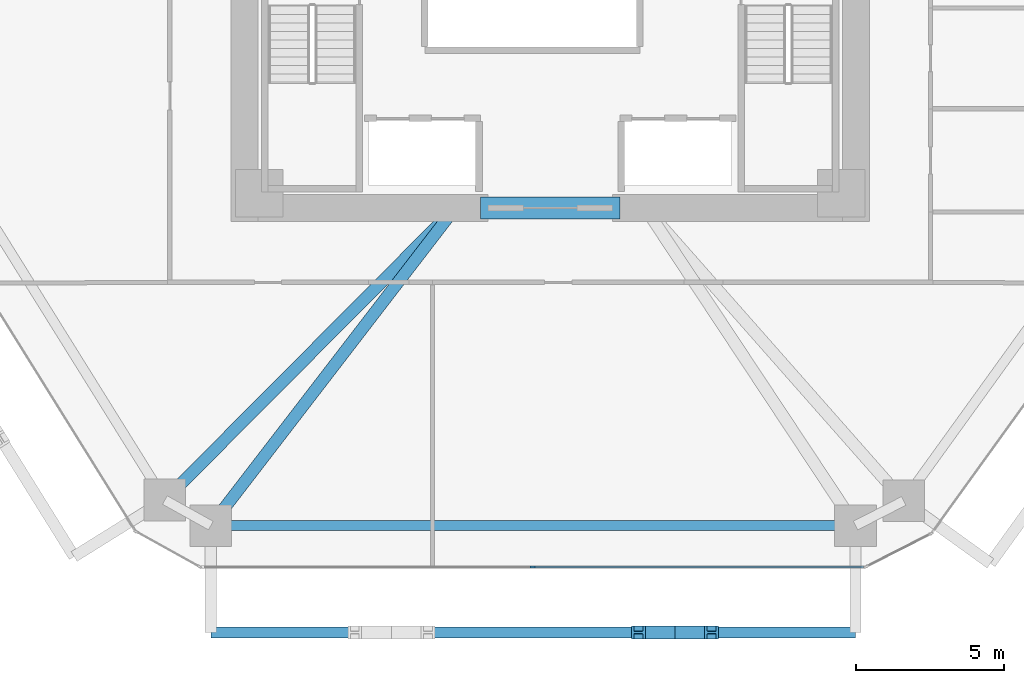
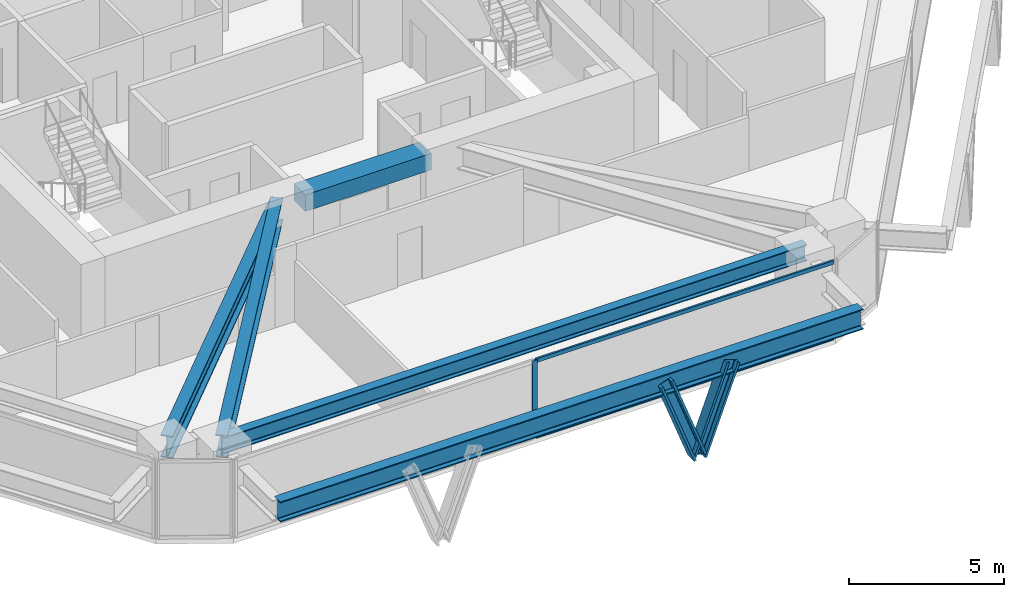
# One storey, part 3 of 14: 5 beams, 5 members, 1 element without a shape of its own.
"""IFC4 building model written with IfcOpenShell, lengths in metres."""

from ifc_helpers import new_model, si_unit, direction, frame, origin, origin_2d, place, context, subcontext, project, spatial, rectangle, i_section, extrude, source, transform, mapped, material, layer, layer_set, material_profile, profile_set, type_object, type_shapes, element, aggregate, save


model = new_model("IFC4")

# Units and contexts
model_context = context("Model", 3, precision=1e-05, world=origin(), true_north=direction((0.0, 1.0)))
body_context = subcontext(model_context, "Body", "Model", "MODEL_VIEW")
ifc_project = project(units=[si_unit("LENGTHUNIT", "METRE"), si_unit("AREAUNIT", "SQUARE_METRE"), si_unit("VOLUMEUNIT", "CUBIC_METRE"), si_unit("PLANEANGLEUNIT", "RADIAN"), si_unit("MASSUNIT", "GRAM", prefix="KILO")], contexts=[model_context])

# Site, building, storey
site_placement = place(None, origin())
site = spatial("IfcSite", under=ifc_project, at=site_placement, CompositionType="ELEMENT")
building_placement = place(site_placement, origin())
building = spatial("IfcBuilding", under=site, at=building_placement, Name="Durnholm Broadcast Tower", CompositionType="ELEMENT")
storey_placement = place(building_placement, frame((0.0, 0.0, 35.699951171875)))
storey = spatial("IfcBuildingStorey", under=building, at=storey_placement, Name="L07", CompositionType="ELEMENT", Elevation=35.699951171875)

# Beams
ifc_material_1 = material(Name="Concrete C70/85", Category="concrete")
ifc_material_profile_1 = material_profile(ifc_material_1, rectangle(XDim=0.75, YDim=0.64990234375, at=origin_2d()), Name="RC750X650")
ifc_profile_set_1 = profile_set([ifc_material_profile_1], Name="Concrete C70/85")
beam_type_1 = type_object("IfcBeamType", Name="BM-CB-RC650", PredefinedType="LINTEL", material=ifc_profile_set_1)
shared_shape_1 = source(origin(), body_context, "Body", "SweptSolid", [
    extrude(rectangle(XDim=0.75, YDim=0.64990234375, at=origin_2d()), origin(), (0.0, 0.0, 1.0), 4.7001953125),
])
type_shapes(beam_type_1, [shared_shape_1])
beam_1_placement = place(storey_placement, frame((-2.35009765625, -8.300048828125, 2.72998046875), z_axis=(1.0, 0.0, 0.0), x_axis=(0.0, 1.0, 0.0)))
element("IfcBeam", 1, at=beam_1_placement, inside=storey, type_object=beam_type_1, Name="L07 south core coupling lintel beam CB-S", PredefinedType="LINTEL", context=body_context, shape_type="MappedRepresentation", body=[
    mapped(shared_shape_1, transform((0.0, 0.0, 0.0), x_axis=(1.0, 0.0, 0.0), y_axis=(0.0, 1.0, 0.0), z_axis=(0.0, 0.0, 1.0), scale=1.0)),
])
ifc_material_2 = material(Name="Steel ASTM A992 Grade 50", Category="steel")
ifc_material_profile_2 = material_profile(ifc_material_2, i_section(OverallWidth=0.3291015625, OverallDepth=0.635009765625, WebThickness=0.017822265625, FlangeThickness=0.031005859375, FilletRadius=0.02783203125, at=origin_2d()), Name="W24X162")
ifc_profile_set_2 = profile_set([ifc_material_profile_2], Name="Steel ASTM A992 Grade 50")
beam_type_2 = type_object("IfcBeamType", Name="STL-SP-W24X162", PredefinedType="SPANDREL", material=ifc_profile_set_2)
shared_shape_2 = source(origin(), body_context, "Body", "SweptSolid", [
    extrude(i_section(OverallWidth=0.3291015625, OverallDepth=0.635009765625, WebThickness=0.017822265625, FlangeThickness=0.031005859375, FilletRadius=0.02783203125, at=origin_2d()), origin(), (0.0, 0.0, 1.0), 21.7138671875),
])
type_shapes(beam_type_2, [shared_shape_2])
beam_2_placement = place(storey_placement, frame((10.28271484375, -19.0, 2.7275390625), z_axis=(-1.0, 0.0, 0.0), x_axis=(0.0, -1.0, 0.0)))
element("IfcBeam", 2, at=beam_2_placement, inside=storey, type_object=beam_type_2, Name="L07 perimeter spandrel girder 11", PredefinedType="SPANDREL", context=body_context, shape_type="MappedRepresentation", body=[
    mapped(shared_shape_2, transform((0.0, 0.0, 0.0), x_axis=(1.0, 0.0, 0.0), y_axis=(0.0, 1.0, 0.0), z_axis=(0.0, 0.0, 1.0), scale=1.0)),
])
ifc_material_profile_3 = material_profile(ifc_material_2, i_section(OverallWidth=0.404052734375, OverallDepth=0.885009765625, WebThickness=0.0244140625, FlangeThickness=0.0439453125, FilletRadius=0.03564453125, at=origin_2d()), Name="W33X291")
ifc_profile_set_3 = profile_set([ifc_material_profile_3], Name="Steel ASTM A992 Grade 50")
beam_type_3 = type_object("IfcBeamType", Name="STL-GR-W33X291", PredefinedType="USERDEFINED", material=ifc_profile_set_3)
shared_shape_3 = source(origin(), body_context, "Body", "SweptSolid", [
    extrude(i_section(OverallWidth=0.404052734375, OverallDepth=0.885009765625, WebThickness=0.0244140625, FlangeThickness=0.0439453125, FilletRadius=0.03564453125, at=origin_2d()), origin(), (0.0, 0.0, 1.0), 13.874267578125),
])
beam_3_placement = place(storey_placement, frame((-3.199951171875, -8.300048828125, 2.6025390625), z_axis=(-0.705097917174, -0.709109954237, 0.0), x_axis=(0.709109954237, -0.705097917174, 0.0)))
element("IfcBeam", 3, at=beam_3_placement, inside=storey, type_object=beam_type_3, Name="L07 radial primary floor girder 01", ObjectType="GIRDER", PredefinedType="USERDEFINED", context=body_context, shape_type="MappedRepresentation", body=[
    mapped(shared_shape_3, transform((0.0, 0.0, 0.0), x_axis=(1.0, 0.0, 0.0), y_axis=(0.0, 1.0, 0.0), z_axis=(0.0, 0.0, 1.0), scale=1.0)),
])
shared_shape_4 = source(origin(), body_context, "Body", "SweptSolid", [
    extrude(i_section(OverallWidth=0.404052734375, OverallDepth=0.885009765625, WebThickness=0.0244140625, FlangeThickness=0.0439453125, FilletRadius=0.03564453125, at=origin_2d()), origin(), (0.0, 0.0, 1.0), 13.499755859375),
])
type_shapes(beam_type_3, [shared_shape_3, shared_shape_4])
beam_4_placement = place(storey_placement, frame((-3.199951171875, -8.300048828125, 2.6025390625), z_axis=(-0.609732610412, -0.79260718127, 0.0), x_axis=(0.79260718127, -0.609732610412, 0.0)))
element("IfcBeam", 4, at=beam_4_placement, inside=storey, type_object=beam_type_3, Name="L07 radial primary floor girder 12", ObjectType="GIRDER", PredefinedType="USERDEFINED", context=body_context, shape_type="MappedRepresentation", body=[
    mapped(shared_shape_4, transform((0.0, 0.0, 0.0), x_axis=(1.0, 0.0, 0.0), y_axis=(0.0, 1.0, 0.0), z_axis=(0.0, 0.0, 1.0), scale=1.0)),
])
ifc_material_profile_4 = material_profile(ifc_material_2, i_section(OverallWidth=0.385009765625, OverallDepth=0.802978515625, WebThickness=0.023681640625, FlangeThickness=0.0419921875, FilletRadius=0.032958984375, at=origin_2d()), Name="W30X261")
ifc_profile_set_4 = profile_set([ifc_material_profile_4], Name="Steel ASTM A992 Grade 50")
beam_type_4 = type_object("IfcBeamType", Name="BM-EXO-TIE", PredefinedType="USERDEFINED", material=ifc_profile_set_4)
shared_shape_5 = source(origin(), body_context, "Body", "SweptSolid", [
    extrude(i_section(OverallWidth=0.385009765625, OverallDepth=0.802978515625, WebThickness=0.023681640625, FlangeThickness=0.0419921875, FilletRadius=0.032958984375, at=origin_2d()), origin(), (0.0, 0.0, 1.0), 21.7138671875),
])
type_shapes(beam_type_4, [shared_shape_5])
beam_5_placement = place(storey_placement, frame((-11.43115234375, -22.60009765625, 2.30859375), z_axis=(1.0, 0.0, 0.0), x_axis=(0.0, 1.0, 0.0)))
element("IfcBeam", 5, at=beam_5_placement, inside=storey, type_object=beam_type_4, Name="L07 exoskeleton collector spandrel F1", PredefinedType="SPANDREL", context=body_context, shape_type="MappedRepresentation", body=[
    mapped(shared_shape_5, transform((0.0, 0.0, 0.0), x_axis=(1.0, 0.0, 0.0), y_axis=(0.0, 1.0, 0.0), z_axis=(0.0, 0.0, 1.0), scale=1.0)),
])

# Members
ifc_material_3 = material(Name="Steel ASTM A913 Grade 65", Category="steel")
ifc_material_profile_5 = material_profile(ifc_material_3, i_section(OverallWidth=0.43212890625, OverallDepth=0.497802734375, WebThickness=0.0556640625, FlangeThickness=0.0888671875, FilletRadius=0.030517578125, at=origin_2d()), Name="W14X500")
ifc_profile_set_5 = profile_set([ifc_material_profile_5], Name="Steel ASTM A913 Grade 65")
member_type_1 = type_object("IfcMemberType", Name="STL-DG-W14X500", PredefinedType="BRACE", material=ifc_profile_set_5)
shared_shape_6 = source(origin(), body_context, "Body", "SweptSolid", [
    extrude(i_section(OverallWidth=0.43212890625, OverallDepth=0.497802734375, WebThickness=0.0556640625, FlangeThickness=0.0888671875, FilletRadius=0.030517578125, at=origin_2d()), origin(), (0.0, 0.0, 1.0), 3.523193359375),
])
type_shapes(member_type_1, [shared_shape_6])
for number, where, z_axis, x_axis, name in (
    (6, (4.202880859375, -22.60009765625, -0.991455078125), (-0.350219588454, 0.0, 0.936667625075), (0.0, -1.0, 0.0), "L07 stand-off diagrid brace F1.D2.1"),
    (7, (4.202880859375, -22.60009765625, -0.991455078125), (0.350219588454, 0.0, 0.936667625075), (0.0, 1.0, 0.0), "L07 stand-off diagrid brace F1.D2.2"),
):
    element("IfcMember", number, at=place(storey_placement, frame(where, z_axis=z_axis, x_axis=x_axis)), inside=storey, type_object=member_type_1, Name=name, PredefinedType="BRACE", context=body_context, shape_type="MappedRepresentation", body=[
        mapped(shared_shape_6, transform((0.0, 0.0, 0.0), x_axis=(1.0, 0.0, 0.0), y_axis=(0.0, 1.0, 0.0), z_axis=(0.0, 0.0, 1.0), scale=1.0)),
    ])

# Curtain wall, members
ifc_material_4 = material(Name="Aluminium and Solar Control IGU", Category="aluminium")
ifc_layer = layer(ifc_material_4, 0.18994140625)
ifc_layer_set = layer_set([ifc_layer], Name="Aluminium and Solar Control IGU")
curtain_wall_type = type_object("IfcCurtainWallType", Name="CW-SYS-3", PredefinedType="NOTDEFINED", material=ifc_layer_set)
curtain_wall_placement = place(storey_placement, origin())
curtain_wall = element("IfcCurtainWall", 8, at=curtain_wall_placement, inside=storey, type_object=curtain_wall_type, Name="L07 curtain wall CW-Z12-VIS CW-L07-F10", PredefinedType="NOTDEFINED")
ifc_material_5 = material(Name="Aluminium 6063-T6", Category="aluminium")
ifc_material_profile_6 = material_profile(ifc_material_5, rectangle(XDim=0.070068359375, YDim=0.18994140625, at=origin_2d()), Name="CWM70X190")
ifc_profile_set_6 = profile_set([ifc_material_profile_6], Name="Aluminium 6063-T6")
member_type_2 = type_object("IfcMemberType", Name="CW-SYS-3-MUL", PredefinedType="MULLION", material=ifc_profile_set_6)
shared_shape_7 = source(origin(), body_context, "Body", "SweptSolid", [
    extrude(rectangle(XDim=0.070068359375, YDim=0.18994140625, at=origin_2d()), origin(), (0.0, 0.0, 1.0), 3.06005859375),
])
type_shapes(member_type_2, [shared_shape_7])
member_1_placement = place(storey_placement, frame((-0.5869140625, -20.39990234375, 0.0), z_axis=(0.0, 0.0, 1.0), x_axis=(0.0, -1.0, 0.0)))
member_1 = element("IfcMember", 9, at=member_1_placement, type_object=member_type_2, Name="CW-Z12-VIS mullion 2", PredefinedType="MULLION", context=body_context, shape_type="MappedRepresentation", body=[
    mapped(shared_shape_7, transform((0.0, 0.0, 0.0), x_axis=(1.0, 0.0, 0.0), y_axis=(0.0, 1.0, 0.0), z_axis=(0.0, 0.0, 1.0), scale=1.0)),
])
ifc_material_profile_7 = material_profile(ifc_material_5, rectangle(XDim=0.070068359375, YDim=0.14990234375, at=origin_2d()), Name="CWT70X150")
ifc_profile_set_7 = profile_set([ifc_material_profile_7], Name="Aluminium 6063-T6")
member_type_3 = type_object("IfcMemberType", Name="CW-SYS-3-TRN", PredefinedType="USERDEFINED", material=ifc_profile_set_7)
shared_shape_8 = source(origin(), body_context, "Body", "SweptSolid", [
    extrude(rectangle(XDim=0.070068359375, YDim=0.14990234375, at=origin_2d()), origin(), (0.0, 0.0, 1.0), 11.10205078125),
])
type_shapes(member_type_3, [shared_shape_8])
member_2_placement = place(storey_placement, frame((10.55029296875, -20.39990234375, 0.03515625), z_axis=(-1.0, 0.0, 0.0), x_axis=(0.0, -1.0, 0.0)))
member_2 = element("IfcMember", 10, at=member_2_placement, type_object=member_type_3, Name="CW-Z12-VIS transom 1.1", ObjectType="TRANSOM", PredefinedType="USERDEFINED", context=body_context, shape_type="MappedRepresentation", body=[
    mapped(shared_shape_8, transform((0.0, 0.0, 0.0), x_axis=(1.0, 0.0, 0.0), y_axis=(0.0, 1.0, 0.0), z_axis=(0.0, 0.0, 1.0), scale=1.0)),
])
member_3_placement = place(storey_placement, frame((10.55029296875, -20.39990234375, 3.025146484375), z_axis=(-1.0, 0.0, 0.0), x_axis=(0.0, -1.0, 0.0)))
member_3 = element("IfcMember", 11, at=member_3_placement, type_object=member_type_3, Name="CW-Z12-VIS transom 1.2", ObjectType="TRANSOM", PredefinedType="USERDEFINED", context=body_context, shape_type="MappedRepresentation", body=[
    mapped(shared_shape_8, transform((0.0, 0.0, 0.0), x_axis=(1.0, 0.0, 0.0), y_axis=(0.0, 1.0, 0.0), z_axis=(0.0, 0.0, 1.0), scale=1.0)),
])
aggregate(curtain_wall, [member_1, member_2, member_3])

save(model, "model.ifc")
